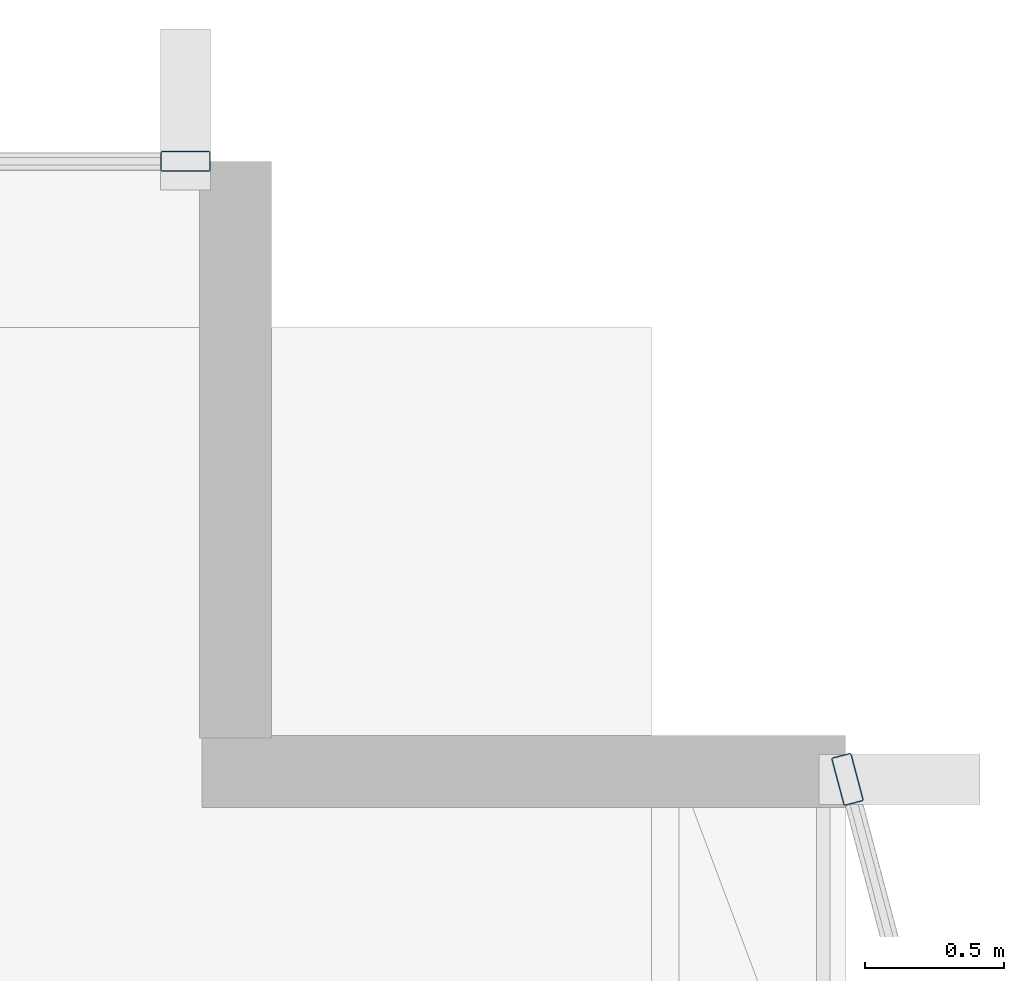
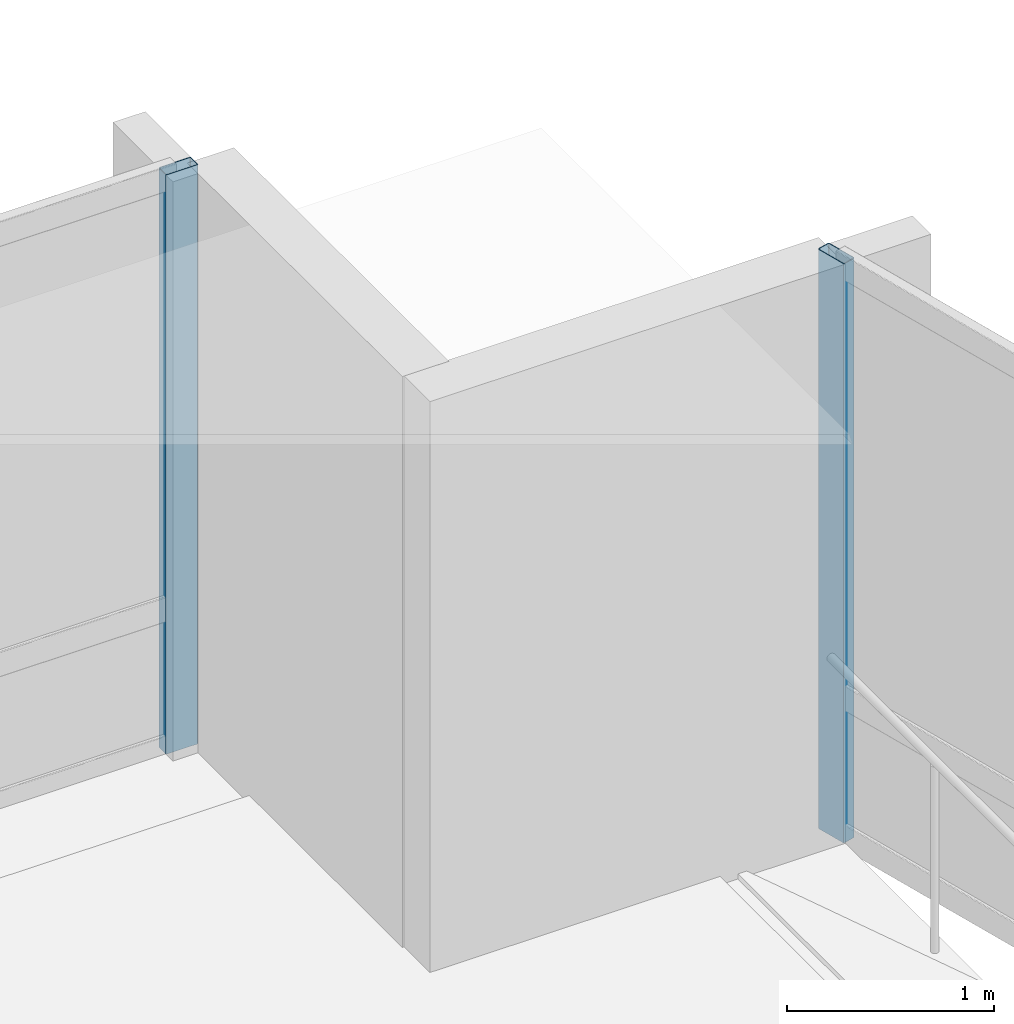
# One storey, part 14 of 28: 2 members, 2 elements without a shape of their own.
"""IFC4 building model written with IfcOpenShell, lengths in metres."""

from ifc_helpers import new_model, si_unit, direction, frame, origin, origin_2d, place, context, subcontext, project, spatial, hollow_rectangle, extrude, material, layer, layer_set, material_profile, profile_set, type_object, element, aggregate, save


model = new_model("IFC4")

# Units and contexts
model_context = context("Model", 3, precision=1e-05, world=origin(), true_north=direction((0.0, 1.0)))
body_context = subcontext(model_context, "Body", "Model", "MODEL_VIEW")
ifc_project = project(units=[si_unit("LENGTHUNIT", "METRE"), si_unit("AREAUNIT", "SQUARE_METRE"), si_unit("VOLUMEUNIT", "CUBIC_METRE"), si_unit("PLANEANGLEUNIT", "RADIAN"), si_unit("MASSUNIT", "GRAM", prefix="KILO")], contexts=[model_context])

# Site, building, storey
site_placement = place(None, origin())
site = spatial("IfcSite", under=ifc_project, at=site_placement, CompositionType="ELEMENT")
building_placement = place(site_placement, origin())
building = spatial("IfcBuilding", under=site, at=building_placement, Name="Solvaryn Broadcast Tower", CompositionType="ELEMENT")
storey_placement = place(building_placement, frame((0.0, 0.0, 206.199951171875)))
storey = spatial("IfcBuildingStorey", under=building, at=storey_placement, Name="L51", CompositionType="ELEMENT", Elevation=206.199951171875)

# Curtain wall, member
ifc_material_1 = material(Name="Aluminium and Terracotta Unitised Curtain Wall", Category="masonry")
ifc_layer = layer(ifc_material_1, 0.199951171875)
ifc_layer_set = layer_set([ifc_layer], Name="CW-SYS2-LOWMID")
curtain_wall_type = type_object("IfcCurtainWallType", Name="CW-SYS2-LOWMID", PredefinedType="NOTDEFINED", material=ifc_layer_set)
curtain_wall_1_placement = place(storey_placement, origin())
curtain_wall_1 = element("IfcCurtainWall", 1, at=curtain_wall_1_placement, inside=storey, type_object=curtain_wall_type, Name="L51 Curtain Wall ET1", PredefinedType="NOTDEFINED")
ifc_material_2 = material(Name="Anodised Aluminium 6063-T6", Category="aluminium")
ifc_material_profile = material_profile(ifc_material_2, hollow_rectangle(XDim=0.074951171875, YDim=0.179931640625, WallThickness=0.00390625, InnerFilletRadius=0.00390625, OuterFilletRadius=0.008056640625, at=origin_2d()))
ifc_profile_set = profile_set([ifc_material_profile], Name="Anodised Aluminium 6063-T6")
member_type = type_object("IfcMemberType", Name="CW-MUL-180", PredefinedType="MULLION", material=ifc_profile_set)
member_1_placement = place(storey_placement, frame((54.007568359375, 24.77099609375, 0.0), z_axis=(0.0, 0.0, 1.0), x_axis=(0.966705227863, 0.25589256031, 0.0)))
member_1 = element("IfcMember", 2, at=member_1_placement, type_object=member_type, Name="CWS2 mullion 1", PredefinedType="MULLION", context=body_context, shape_type="SweptSolid", body=[
    extrude(hollow_rectangle(XDim=0.074951171875, YDim=0.179931640625, WallThickness=0.00390625, InnerFilletRadius=0.00390625, OuterFilletRadius=0.008056640625, at=origin_2d()), origin(), (0.0, 0.0, 1.0), 3.420166015625),
])
aggregate(curtain_wall_1, [member_1])

curtain_wall_2_placement = place(storey_placement, origin())
curtain_wall_2 = element("IfcCurtainWall", 3, at=curtain_wall_2_placement, inside=storey, type_object=curtain_wall_type, Name="L51 Curtain Wall IH", PredefinedType="NOTDEFINED")
member_2_placement = place(storey_placement, frame((51.6201171875, 27.0, 0.0), z_axis=(0.0, 0.0, 1.0), x_axis=(0.0, 1.0, 0.0)))
member_2 = element("IfcMember", 4, at=member_2_placement, type_object=member_type, Name="CWS2 mullion 2", PredefinedType="MULLION", context=body_context, shape_type="SweptSolid", body=[
    extrude(hollow_rectangle(XDim=0.074951171875, YDim=0.179931640625, WallThickness=0.00390625, InnerFilletRadius=0.00390625, OuterFilletRadius=0.008056640625, at=origin_2d()), origin(), (0.0, 0.0, 1.0), 3.420166015625),
])
aggregate(curtain_wall_2, [member_2])

save(model, "model.ifc")
